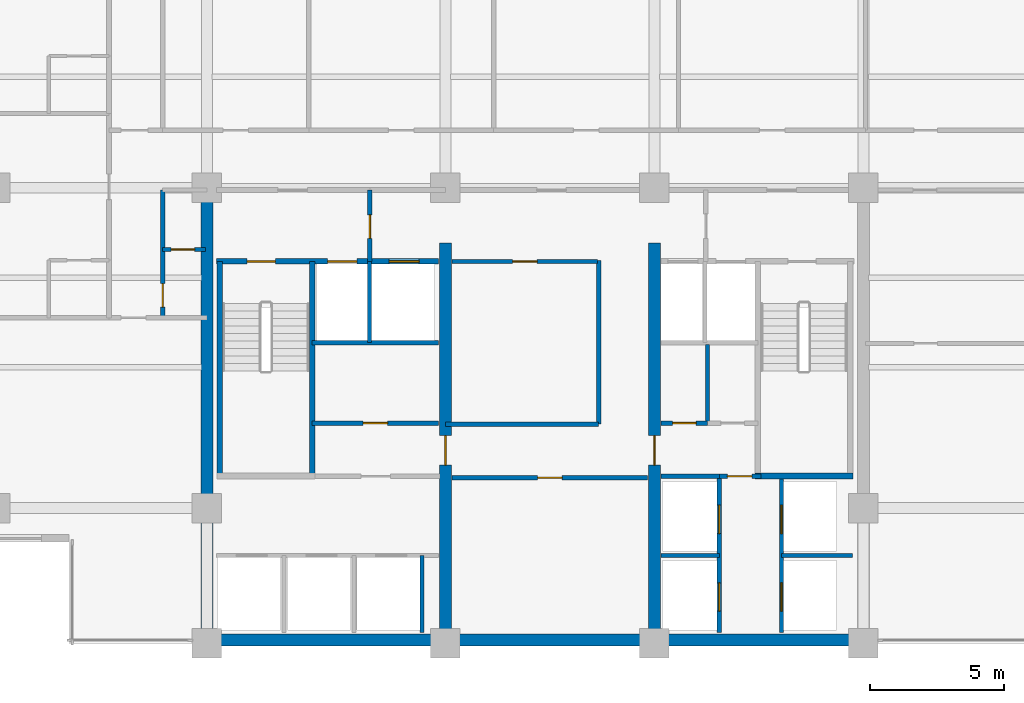
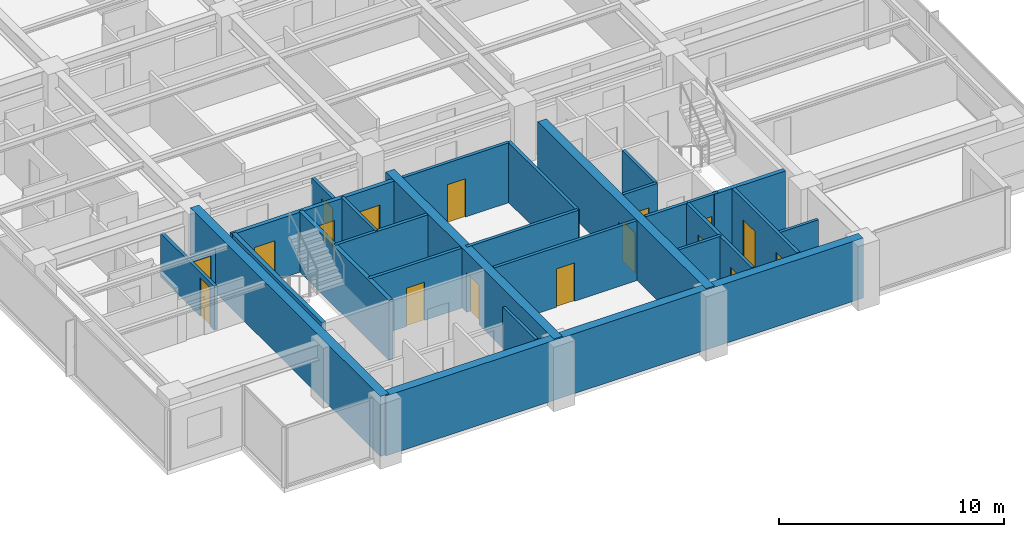
# One storey, part 7 of 14: 27 walls, 17 doors, 17 openings.
"""IFC4 building model written with IfcOpenShell, lengths in metres."""

from ifc_helpers import new_model, si_unit, direction, frame, frame_2d, origin, place, context, subcontext, project, spatial, rectangle, extrude, material, layer, layer_set, type_object, element, fill, save


model = new_model("IFC4")

# Units and contexts
model_context = context("Model", 3, precision=1e-05, world=origin(), true_north=direction((0.0, 1.0)))
body_context = subcontext(model_context, "Body", "Model", "MODEL_VIEW")
ifc_project = project(units=[si_unit("LENGTHUNIT", "METRE"), si_unit("AREAUNIT", "SQUARE_METRE"), si_unit("VOLUMEUNIT", "CUBIC_METRE"), si_unit("PLANEANGLEUNIT", "RADIAN"), si_unit("MASSUNIT", "GRAM", prefix="KILO")], contexts=[model_context])

# Site, building, storey
site_placement = place(None, origin())
site = spatial("IfcSite", under=ifc_project, at=site_placement, CompositionType="ELEMENT")
building_placement = place(site_placement, origin())
building = spatial("IfcBuilding", under=site, at=building_placement, Name="Qalmaran Belvedere Hotel", CompositionType="ELEMENT")
storey_placement = place(building_placement, frame((0.0, 0.0, 166.60009765625)))
storey = spatial("IfcBuildingStorey", under=building, at=storey_placement, Name="L42", CompositionType="ELEMENT", Elevation=166.60009765625)

# Wall
ifc_material_1 = material(Name="Concrete C50/60", Category="concrete")
ifc_layer_1 = layer(ifc_material_1, 0.449951171875, Name="Concrete C50/60")
ifc_layer_set_1 = layer_set([ifc_layer_1], Name="Concrete C50/60")
wall_type_1 = type_object("IfcWallType", Name="WL-CORE-450-C50", PredefinedType="SHEAR", material=ifc_layer_set_1)
wall_1_placement = place(storey_placement, frame((20.300048828125, 3.5, 0.0), z_axis=(0.0, 0.0, 1.0), x_axis=(0.0, 1.0, 0.0)))
element("IfcWall", 1, at=wall_1_placement, inside=storey, type_object=wall_type_1, Name="L42 West Core Shear Wall", PredefinedType="SHEAR", context=body_context, shape_type="SweptSolid", body=[
    extrude(rectangle(XDim=16.89990234375, YDim=0.449951171875, at=frame_2d((8.449951171875, 0.0))), origin(), (0.0, 0.0, 1.0), 3.25),
])

# Wall, opening, door
wall_2_placement = place(storey_placement, frame((29.199951171875, 3.5, 0.0), z_axis=(0.0, 0.0, 1.0), x_axis=(0.0, 1.0, 0.0)))
wall_2 = element("IfcWall", 2, at=wall_2_placement, inside=storey, type_object=wall_type_1, Name="L42 Core West Spine Shear Wall", PredefinedType="SHEAR", context=body_context, shape_type="SweptSolid", body=[
    extrude(rectangle(XDim=14.949951171875, YDim=0.449951171875, at=frame_2d((7.47509765625, 0.0))), origin(), (0.0, 0.0, 1.0), 3.25),
])
opening_1_placement = place(wall_2_placement, frame((7.75, 0.0, 0.0), z_axis=(0.0, 0.0, 1.0), x_axis=(-1.0, 0.0, 0.0)))
opening_1 = element("IfcOpeningElement", 3, at=opening_1_placement, cuts=wall_2, Name="Opening FD90", PredefinedType="OPENING", context=body_context, shape_type="SweptSolid", body=[
    extrude(rectangle(XDim=1.10009765625, YDim=2.14990234375, at=frame_2d((0.550048828125, 1.074951171875))), frame((0.0, 0.23486328125, 0.0), z_axis=(0.0, -1.0, 0.0), x_axis=(1.0, 0.0, 0.0)), (0.0, 0.0, 1.0), 0.469970703125),
])
ifc_material_2 = material(Name="Steel S355JR", Category="steel")
door_type_1 = type_object("IfcDoorType", Name="DR-FD90-1100X2150", OperationType="NOTDEFINED", PredefinedType="DOOR", material=ifc_material_2)
door_1_placement = place(opening_1_placement, origin())
door_1 = element("IfcDoor", 4, at=door_1_placement, inside=storey, type_object=door_type_1, Name="L42 Core West Cross-Lobby Door", OperationType="SINGLE_SWING_LEFT", OverallHeight=2.14990234375, OverallWidth=1.10009765625, PredefinedType="DOOR", context=body_context, shape_type="SweptSolid", body=[
    extrude(rectangle(XDim=1.10009765625, YDim=2.14990234375, at=frame_2d((0.550048828125, 1.074951171875))), frame((0.0, 0.02490234375, 0.0), z_axis=(0.0, -1.0, 0.0), x_axis=(1.0, 0.0, 0.0)), (0.0, 0.0, 1.0), 0.050048828125),
])
fill(opening_1, door_1)

wall_3_placement = place(storey_placement, frame((37.0, 3.5, 0.0), z_axis=(0.0, 0.0, 1.0), x_axis=(0.0, 1.0, 0.0)))
wall_3 = element("IfcWall", 5, at=wall_3_placement, inside=storey, type_object=wall_type_1, Name="L42 Core East Spine Shear Wall", PredefinedType="SHEAR", context=body_context, shape_type="SweptSolid", body=[
    extrude(rectangle(XDim=14.949951171875, YDim=0.449951171875, at=frame_2d((7.47509765625, 0.0))), origin(), (0.0, 0.0, 1.0), 3.25),
])
opening_2_placement = place(wall_3_placement, frame((6.64990234375, 0.0, 0.0)))
opening_2 = element("IfcOpeningElement", 6, at=opening_2_placement, cuts=wall_3, Name="Opening FD90", PredefinedType="OPENING", context=body_context, shape_type="SweptSolid", body=[
    extrude(rectangle(XDim=1.10009765625, YDim=2.14990234375, at=frame_2d((0.550048828125, 1.074951171875))), frame((0.0, 0.23486328125, 0.0), z_axis=(0.0, -1.0, 0.0), x_axis=(1.0, 0.0, 0.0)), (0.0, 0.0, 1.0), 0.469970703125),
])
door_2_placement = place(opening_2_placement, origin())
door_2 = element("IfcDoor", 7, at=door_2_placement, inside=storey, type_object=door_type_1, Name="L42 Core East Cross-Lobby Door", OperationType="SINGLE_SWING_RIGHT", OverallHeight=2.14990234375, OverallWidth=1.10009765625, PredefinedType="DOOR", context=body_context, shape_type="SweptSolid", body=[
    extrude(rectangle(XDim=1.10009765625, YDim=2.14990234375, at=frame_2d((0.550048828125, 1.074951171875))), frame((0.0, 0.02490234375, 0.0), z_axis=(0.0, -1.0, 0.0), x_axis=(1.0, 0.0, 0.0)), (0.0, 0.0, 1.0), 0.050048828125),
])
fill(opening_2, door_2)

# Wall
ifc_layer_2 = layer(ifc_material_1, 0.43994140625, Name="Concrete C50/60")
ifc_layer_set_2 = layer_set([ifc_layer_2], Name="Concrete C50/60")
wall_type_2 = type_object("IfcWallType", Name="WL-CORES-440-EXT", PredefinedType="SHEAR", material=ifc_layer_set_2)
wall_4_placement = place(storey_placement, frame((20.300048828125, 3.6298828125, 0.0), z_axis=(0.0, 0.0, 1.0), x_axis=(1.0, 0.0, 0.0)))
element("IfcWall", 8, at=wall_4_placement, inside=storey, type_object=wall_type_2, Name="L42 South Core Shear Wall", PredefinedType="SHEAR", context=body_context, shape_type="SweptSolid", body=[
    extrude(rectangle(XDim=24.5, YDim=0.43994140625, at=frame_2d((12.25, 0.0))), origin(), (0.0, 0.0, 1.0), 3.25),
])

# Wall, opening, door
ifc_material_3 = material(Name="Gypsum Stud Partition")
ifc_layer_3 = layer(ifc_material_3, 0.139892578125, Name="Gypsum Stud Partition")
ifc_layer_set_3 = layer_set([ifc_layer_3], Name="Gypsum Stud Partition")
wall_type_3 = type_object("IfcWallType", Name="WL-INT-140-NR", PredefinedType="PARTITIONING", material=ifc_layer_set_3)
wall_5_placement = place(storey_placement, frame((18.64990234375, 18.199951171875, 0.0), z_axis=(0.0, 0.0, 1.0), x_axis=(1.0, 0.0, 0.0)))
wall_5 = element("IfcWall", 9, at=wall_5_placement, inside=storey, type_object=wall_type_3, Name="L42 Partition WL-L42-WCLSUB", PredefinedType="PARTITIONING", context=body_context, shape_type="SweptSolid", body=[
    extrude(rectangle(XDim=1.60009765625, YDim=0.139892578125, at=frame_2d((0.800048828125, 0.0))), origin(), (0.0, 0.0, 1.0), 2.3798828125),
])
opening_3_placement = place(wall_5_placement, frame((1.193115234375, 0.0, 0.0), z_axis=(0.0, 0.0, 1.0), x_axis=(-1.0, 0.0, 0.0)))
opening_3 = element("IfcOpeningElement", 10, at=opening_3_placement, cuts=wall_5, Name="Opening D-BATH", PredefinedType="OPENING", context=body_context, shape_type="SweptSolid", body=[
    extrude(rectangle(XDim=0.8798828125, YDim=2.080078125, at=frame_2d((0.43994140625, 1.0400390625))), frame((0.0, 0.080078125, 0.0), z_axis=(0.0, -1.0, 0.0), x_axis=(1.0, 0.0, 0.0)), (0.0, 0.0, 1.0), 0.159912109375),
])
ifc_material_4 = material(Name="Engineered Oak Veneer")
door_type_2 = type_object("IfcDoorType", Name="DR-INT-BATH-880X2080", OperationType="NOTDEFINED", PredefinedType="DOOR", material=ifc_material_4)
door_3_placement = place(opening_3_placement, origin())
door_3 = element("IfcDoor", 11, at=door_3_placement, inside=storey, type_object=door_type_2, Name="L42 Closet Alcove Door", OperationType="SINGLE_SWING_LEFT", OverallHeight=2.080078125, OverallWidth=0.8798828125, PredefinedType="DOOR", context=body_context, shape_type="SweptSolid", body=[
    extrude(rectangle(XDim=0.8798828125, YDim=2.080078125, at=frame_2d((0.43994140625, 1.0400390625))), frame((0.0, 0.02490234375, 0.0), z_axis=(0.0, -1.0, 0.0), x_axis=(1.0, 0.0, 0.0)), (0.0, 0.0, 1.0), 0.050048828125),
])
fill(opening_3, door_3)

# Walls
ifc_layer_4 = layer(ifc_material_3, 0.14990234375, Name="Gypsum Stud Partition")
ifc_layer_set_4 = layer_set([ifc_layer_4], Name="Gypsum Stud Partition")
wall_type_4 = type_object("IfcWallType", Name="WL-INT-150-EI120", PredefinedType="PARTITIONING", material=ifc_layer_set_4)
wall_6_placement = place(storey_placement, frame((26.360107421875, 14.719970703125, 0.0), z_axis=(0.0, 0.0, 1.0), x_axis=(0.0, 1.0, 0.0)))
element("IfcWall", 12, at=wall_6_placement, inside=storey, type_object=wall_type_4, Name="L42 Partition WL-FF1M-L42", PredefinedType="PARTITIONING", context=body_context, shape_type="SweptSolid", body=[
    extrude(rectangle(XDim=3.0400390625, YDim=0.14990234375, at=frame_2d((1.52001953125, 0.0))), origin(), (0.0, 0.0, 1.0), 3.25),
])
wall_7_placement = place(storey_placement, frame((28.320068359375, 3.89990234375, 0.0), z_axis=(0.0, 0.0, 1.0), x_axis=(0.0, 1.0, 0.0)))
element("IfcWall", 13, at=wall_7_placement, inside=storey, type_object=wall_type_4, Name="L42 Partition WL-POM3-L42", PredefinedType="PARTITIONING", context=body_context, shape_type="SweptSolid", body=[
    extrude(rectangle(XDim=2.880126953125, YDim=0.14990234375, at=frame_2d((1.43994140625, 0.0))), origin(), (0.0, 0.0, 1.0), 3.25),
])
wall_8_placement = place(storey_placement, frame((37.25, 6.780029296875, 0.0), z_axis=(0.0, 0.0, 1.0), x_axis=(1.0, 0.0, 0.0)))
element("IfcWall", 14, at=wall_8_placement, inside=storey, type_object=wall_type_4, Name="L42 Partition WL-PHMW-L42", PredefinedType="PARTITIONING", context=body_context, shape_type="SweptSolid", body=[
    extrude(rectangle(XDim=2.169921875, YDim=0.14990234375, at=frame_2d((1.0849609375, 0.0))), origin(), (0.0, 0.0, 1.0), 3.25),
])
wall_9_placement = place(storey_placement, frame((41.739990234375, 6.780029296875, 0.0), z_axis=(0.0, 0.0, 1.0), x_axis=(1.0, 0.0, 0.0)))
element("IfcWall", 15, at=wall_9_placement, inside=storey, type_object=wall_type_4, Name="L42 Partition WL-PHME-L42", PredefinedType="PARTITIONING", context=body_context, shape_type="SweptSolid", body=[
    extrude(rectangle(XDim=2.659912109375, YDim=0.14990234375, at=frame_2d((1.330078125, 0.0))), origin(), (0.0, 0.0, 1.0), 2.3798828125),
])
ifc_layer_5 = layer(ifc_material_3, 0.14990234375, Name="Gypsum Stud Partition")
ifc_layer_set_5 = layer_set([ifc_layer_5], Name="Gypsum Stud Partition")
wall_type_5 = type_object("IfcWallType", Name="WL-INT-150-EI60", PredefinedType="PARTITIONING", material=ifc_layer_set_5)
wall_10_placement = place(storey_placement, frame((38.98291015625, 11.719970703125, 0.0), z_axis=(0.0, 0.0, 1.0), x_axis=(0.0, 1.0, 0.0)))
element("IfcWall", 16, at=wall_10_placement, inside=storey, type_object=wall_type_5, Name="L42 Partition WL-L42-KEV1", PredefinedType="PARTITIONING", context=body_context, shape_type="SweptSolid", body=[
    extrude(rectangle(XDim=2.929931640625, YDim=0.14990234375, at=frame_2d((1.46484375, 0.0))), origin(), (0.0, 0.0, 1.0), 3.25),
])

# Wall, opening, door
ifc_layer_6 = layer(ifc_material_3, 0.159912109375, Name="Gypsum Stud Partition")
ifc_layer_set_6 = layer_set([ifc_layer_6], Name="Gypsum Stud Partition")
wall_type_6 = type_object("IfcWallType", Name="WL-INT-160-EI120", PredefinedType="PARTITIONING", material=ifc_layer_set_6)
wall_11_placement = place(storey_placement, frame((26.3798828125, 17.760009765625, 0.0), z_axis=(0.0, 0.0, 1.0), x_axis=(0.0, 1.0, 0.0)))
wall_11 = element("IfcWall", 17, at=wall_11_placement, inside=storey, type_object=wall_type_6, Name="L42 Partition WL-FFSV1-L42", PredefinedType="PARTITIONING", context=body_context, shape_type="SweptSolid", body=[
    extrude(rectangle(XDim=2.659912109375, YDim=0.159912109375, at=frame_2d((1.330078125, 0.0))), origin(), (0.0, 0.0, 1.0), 2.69189453125),
])
opening_4_placement = place(wall_11_placement, frame((0.85009765625, 0.0, 0.0)))
opening_4 = element("IfcOpeningElement", 18, at=opening_4_placement, cuts=wall_11, Name="Opening FD60B", PredefinedType="OPENING", context=body_context, shape_type="SweptSolid", body=[
    extrude(rectangle(XDim=0.8798828125, YDim=2.080078125, at=frame_2d((0.43994140625, 1.0400390625))), frame((0.0, 0.08984375, 0.0), z_axis=(0.0, -1.0, 0.0), x_axis=(1.0, 0.0, 0.0)), (0.0, 0.0, 1.0), 0.179931640625),
])
door_type_3 = type_object("IfcDoorType", Name="DR-FD60B-880X2080", OperationType="NOTDEFINED", PredefinedType="DOOR", material=ifc_material_2)
door_4_placement = place(opening_4_placement, origin())
door_4 = element("IfcDoor", 19, at=door_4_placement, inside=storey, type_object=door_type_3, Name="L42 Service Lobby West Door", OperationType="SINGLE_SWING_LEFT", OverallHeight=2.080078125, OverallWidth=0.8798828125, PredefinedType="DOOR", context=body_context, shape_type="SweptSolid", body=[
    extrude(rectangle(XDim=0.8798828125, YDim=2.080078125, at=frame_2d((0.43994140625, 1.0400390625))), frame((0.0, 0.02490234375, 0.0), z_axis=(0.0, -1.0, 0.0), x_axis=(1.0, 0.0, 0.0)), (0.0, 0.0, 1.0), 0.050048828125),
])
fill(opening_4, door_4)

# Wall
wall_12_placement = place(storey_placement, frame((24.219970703125, 14.719970703125, 0.0), z_axis=(0.0, 0.0, 1.0), x_axis=(1.0, 0.0, 0.0)))
element("IfcWall", 20, at=wall_12_placement, inside=storey, type_object=wall_type_6, Name="L42 Partition WL-FF1S-L42", PredefinedType="PARTITIONING", context=body_context, shape_type="SweptSolid", body=[
    extrude(rectangle(XDim=4.72998046875, YDim=0.159912109375, at=frame_2d((2.364990234375, 0.0))), origin(), (0.0, 0.0, 1.0), 3.25),
])

# Wall, openings, doors
wall_13_placement = place(storey_placement, frame((39.419921875, 3.89990234375, 0.0), z_axis=(0.0, 0.0, 1.0), x_axis=(0.0, 1.0, 0.0)))
wall_13 = element("IfcWall", 21, at=wall_13_placement, inside=storey, type_object=wall_type_6, Name="L42 Partition WL-PHW-L42", PredefinedType="PARTITIONING", context=body_context, shape_type="SweptSolid", body=[
    extrude(rectangle(XDim=5.840087890625, YDim=0.159912109375, at=frame_2d((2.919921875, 0.0))), origin(), (0.0, 0.0, 1.0), 3.25),
])
opening_5_placement = place(wall_13_placement, frame((1.860107421875, 0.0, 0.0), z_axis=(0.0, 0.0, 1.0), x_axis=(-1.0, 0.0, 0.0)))
opening_5 = element("IfcOpeningElement", 22, at=opening_5_placement, cuts=wall_13, Name="Opening LD-P2", PredefinedType="OPENING", context=body_context, shape_type="SweptSolid", body=[
    extrude(rectangle(XDim=1.06005859375, YDim=2.159912109375, at=frame_2d((0.530029296875, 1.080078125))), frame((0.0, 0.08984375, 0.0), z_axis=(0.0, -1.0, 0.0), x_axis=(1.0, 0.0, 0.0)), (0.0, 0.0, 1.0), 0.179931640625),
])
opening_6_placement = place(wall_13_placement, frame((4.760009765625, 0.0, 0.0), z_axis=(0.0, 0.0, 1.0), x_axis=(-1.0, 0.0, 0.0)))
opening_6 = element("IfcOpeningElement", 23, at=opening_6_placement, cuts=wall_13, Name="Opening LD-P2", PredefinedType="OPENING", context=body_context, shape_type="SweptSolid", body=[
    extrude(rectangle(XDim=1.06005859375, YDim=2.159912109375, at=frame_2d((0.530029296875, 1.080078125))), frame((0.0, 0.08984375, 0.0), z_axis=(0.0, -1.0, 0.0), x_axis=(1.0, 0.0, 0.0)), (0.0, 0.0, 1.0), 0.179931640625),
])
ifc_material_5 = material(Name="Stainless Steel 1.4401", Category="steel")
door_type_4 = type_object("IfcDoorType", Name="DR-LIFT-P2-1060X2160", OperationType="DOUBLE_DOOR_SLIDING", PredefinedType="DOOR", material=ifc_material_5)
door_5_placement = place(opening_5_placement, origin())
door_5 = element("IfcDoor", 24, at=door_5_placement, inside=storey, type_object=door_type_4, Name="L42 PH1 Lift Landing Door", OperationType="DOUBLE_DOOR_SLIDING", OverallHeight=2.159912109375, OverallWidth=1.06005859375, PredefinedType="DOOR", context=body_context, shape_type="SweptSolid", body=[
    extrude(rectangle(XDim=1.06005859375, YDim=2.159912109375, at=frame_2d((0.530029296875, 1.080078125))), frame((0.0, 0.02490234375, 0.0), z_axis=(0.0, -1.0, 0.0), x_axis=(1.0, 0.0, 0.0)), (0.0, 0.0, 1.0), 0.050048828125),
])
fill(opening_5, door_5)
door_6_placement = place(opening_6_placement, origin())
door_6 = element("IfcDoor", 25, at=door_6_placement, inside=storey, type_object=door_type_4, Name="L42 PH2 Lift Landing Door", OperationType="DOUBLE_DOOR_SLIDING", OverallHeight=2.159912109375, OverallWidth=1.06005859375, PredefinedType="DOOR", context=body_context, shape_type="SweptSolid", body=[
    extrude(rectangle(XDim=1.06005859375, YDim=2.159912109375, at=frame_2d((0.530029296875, 1.080078125))), frame((0.0, 0.02490234375, 0.0), z_axis=(0.0, -1.0, 0.0), x_axis=(1.0, 0.0, 0.0)), (0.0, 0.0, 1.0), 0.050048828125),
])
fill(opening_6, door_6)

wall_14_placement = place(storey_placement, frame((41.739990234375, 3.89990234375, 0.0), z_axis=(0.0, 0.0, 1.0), x_axis=(0.0, 1.0, 0.0)))
wall_14 = element("IfcWall", 26, at=wall_14_placement, inside=storey, type_object=wall_type_6, Name="L42 Partition WL-PHE-L42", PredefinedType="PARTITIONING", context=body_context, shape_type="SweptSolid", body=[
    extrude(rectangle(XDim=5.840087890625, YDim=0.159912109375, at=frame_2d((2.919921875, 0.0))), origin(), (0.0, 0.0, 1.0), 3.25),
])
opening_7_placement = place(wall_14_placement, frame((0.800048828125, 0.0, 0.0)))
opening_7 = element("IfcOpeningElement", 27, at=opening_7_placement, cuts=wall_14, Name="Opening LD-P2", PredefinedType="OPENING", context=body_context, shape_type="SweptSolid", body=[
    extrude(rectangle(XDim=1.06005859375, YDim=2.159912109375, at=frame_2d((0.530029296875, 1.080078125))), frame((0.0, 0.08984375, 0.0), z_axis=(0.0, -1.0, 0.0), x_axis=(1.0, 0.0, 0.0)), (0.0, 0.0, 1.0), 0.179931640625),
])
opening_8_placement = place(wall_14_placement, frame((3.699951171875, 0.0, 0.0)))
opening_8 = element("IfcOpeningElement", 28, at=opening_8_placement, cuts=wall_14, Name="Opening LD-P2", PredefinedType="OPENING", context=body_context, shape_type="SweptSolid", body=[
    extrude(rectangle(XDim=1.06005859375, YDim=2.159912109375, at=frame_2d((0.530029296875, 1.080078125))), frame((0.0, 0.08984375, 0.0), z_axis=(0.0, -1.0, 0.0), x_axis=(1.0, 0.0, 0.0)), (0.0, 0.0, 1.0), 0.179931640625),
])
door_7_placement = place(opening_7_placement, origin())
door_7 = element("IfcDoor", 29, at=door_7_placement, inside=storey, type_object=door_type_4, Name="L42 PH3 Lift Landing Door", OperationType="DOUBLE_DOOR_SLIDING", OverallHeight=2.159912109375, OverallWidth=1.06005859375, PredefinedType="DOOR", context=body_context, shape_type="SweptSolid", body=[
    extrude(rectangle(XDim=1.06005859375, YDim=2.159912109375, at=frame_2d((0.530029296875, 1.080078125))), frame((0.0, 0.02490234375, 0.0), z_axis=(0.0, -1.0, 0.0), x_axis=(1.0, 0.0, 0.0)), (0.0, 0.0, 1.0), 0.050048828125),
])
fill(opening_7, door_7)
door_8_placement = place(opening_8_placement, origin())
door_8 = element("IfcDoor", 30, at=door_8_placement, inside=storey, type_object=door_type_4, Name="L42 PH4 Lift Landing Door", OperationType="DOUBLE_DOOR_SLIDING", OverallHeight=2.159912109375, OverallWidth=1.06005859375, PredefinedType="DOOR", context=body_context, shape_type="SweptSolid", body=[
    extrude(rectangle(XDim=1.06005859375, YDim=2.159912109375, at=frame_2d((0.530029296875, 1.080078125))), frame((0.0, 0.02490234375, 0.0), z_axis=(0.0, -1.0, 0.0), x_axis=(1.0, 0.0, 0.0)), (0.0, 0.0, 1.0), 0.050048828125),
])
fill(opening_8, door_8)

# Wall
wall_15_placement = place(storey_placement, frame((37.25, 9.739990234375, 0.0), z_axis=(0.0, 0.0, 1.0), x_axis=(1.0, 0.0, 0.0)))
element("IfcWall", 31, at=wall_15_placement, inside=storey, type_object=wall_type_6, Name="L42 Partition WL-PHNW-L42", PredefinedType="PARTITIONING", context=body_context, shape_type="SweptSolid", body=[
    extrude(rectangle(XDim=2.169921875, YDim=0.159912109375, at=frame_2d((1.0849609375, 0.0))), origin(), (0.0, 0.0, 1.0), 3.25),
])

# Wall, opening, door
wall_16_placement = place(storey_placement, frame((39.419921875, 9.739990234375, 0.0), z_axis=(0.0, 0.0, 1.0), x_axis=(1.0, 0.0, 0.0)))
wall_16 = element("IfcWall", 32, at=wall_16_placement, inside=storey, type_object=wall_type_6, Name="L42 Partition WL-PHNL-L42", PredefinedType="PARTITIONING", context=body_context, shape_type="SweptSolid", body=[
    extrude(rectangle(XDim=1.56005859375, YDim=0.159912109375, at=frame_2d((0.780029296875, 0.0))), origin(), (0.0, 0.0, 1.0), 3.25),
])
opening_9_placement = place(wall_16_placement, frame((0.300048828125, 0.0, 0.0)))
opening_9 = element("IfcOpeningElement", 33, at=opening_9_placement, cuts=wall_16, Name="Opening FD60S1", PredefinedType="OPENING", context=body_context, shape_type="SweptSolid", body=[
    extrude(rectangle(XDim=0.919921875, YDim=2.080078125, at=frame_2d((0.4599609375, 1.0400390625))), frame((0.0, 0.08984375, 0.0), z_axis=(0.0, -1.0, 0.0), x_axis=(1.0, 0.0, 0.0)), (0.0, 0.0, 1.0), 0.179931640625),
])
door_type_5 = type_object("IfcDoorType", Name="DR-FD60S-920X2080", OperationType="NOTDEFINED", PredefinedType="DOOR", material=ifc_material_4)
door_9_placement = place(opening_9_placement, origin())
door_9 = element("IfcDoor", 34, at=door_9_placement, inside=storey, type_object=door_type_5, Name="L42 High-Rise Lift Lobby Passage Door", OperationType="SINGLE_SWING_RIGHT", OverallHeight=2.080078125, OverallWidth=0.919921875, PredefinedType="DOOR", context=body_context, shape_type="SweptSolid", body=[
    extrude(rectangle(XDim=0.919921875, YDim=2.080078125, at=frame_2d((0.4599609375, 1.0400390625))), frame((0.0, 0.02490234375, 0.0), z_axis=(0.0, -1.0, 0.0), x_axis=(1.0, 0.0, 0.0)), (0.0, 0.0, 1.0), 0.050048828125),
])
fill(opening_9, door_9)

ifc_layer_7 = layer(ifc_material_3, 0.159912109375, Name="Gypsum Stud Partition")
ifc_layer_set_7 = layer_set([ifc_layer_7], Name="Gypsum Stud Partition")
wall_type_7 = type_object("IfcWallType", Name="WL-INT-160-EI60", PredefinedType="PARTITIONING", material=ifc_layer_set_7)
wall_17_placement = place(storey_placement, frame((24.219970703125, 11.719970703125, 0.0), z_axis=(0.0, 0.0, 1.0), x_axis=(1.0, 0.0, 0.0)))
wall_17 = element("IfcWall", 35, at=wall_17_placement, inside=storey, type_object=wall_type_7, Name="L42 Partition WL-L42-KWE1", PredefinedType="PARTITIONING", context=body_context, shape_type="SweptSolid", body=[
    extrude(rectangle(XDim=4.72998046875, YDim=0.159912109375, at=frame_2d((2.364990234375, 0.0))), origin(), (0.0, 0.0, 1.0), 3.25),
])
opening_10_placement = place(wall_17_placement, frame((1.905029296875, 0.0, 0.0)))
opening_10 = element("IfcOpeningElement", 36, at=opening_10_placement, cuts=wall_17, Name="Opening FD60S1", PredefinedType="OPENING", context=body_context, shape_type="SweptSolid", body=[
    extrude(rectangle(XDim=0.919921875, YDim=2.080078125, at=frame_2d((0.4599609375, 1.0400390625))), frame((0.0, 0.08984375, 0.0), z_axis=(0.0, -1.0, 0.0), x_axis=(1.0, 0.0, 0.0)), (0.0, 0.0, 1.0), 0.179931640625),
])
door_10_placement = place(opening_10_placement, origin())
door_10 = element("IfcDoor", 37, at=door_10_placement, inside=storey, type_object=door_type_5, Name="L42 Electrical Distribution Room Door", OperationType="SINGLE_SWING_RIGHT", OverallHeight=2.080078125, OverallWidth=0.919921875, PredefinedType="DOOR", context=body_context, shape_type="SweptSolid", body=[
    extrude(rectangle(XDim=0.919921875, YDim=2.080078125, at=frame_2d((0.4599609375, 1.0400390625))), frame((0.0, 0.02490234375, 0.0), z_axis=(0.0, -1.0, 0.0), x_axis=(1.0, 0.0, 0.0)), (0.0, 0.0, 1.0), 0.050048828125),
])
fill(opening_10, door_10)

wall_18_placement = place(storey_placement, frame((37.25, 11.719970703125, 0.0), z_axis=(0.0, 0.0, 1.0), x_axis=(1.0, 0.0, 0.0)))
wall_18 = element("IfcWall", 38, at=wall_18_placement, inside=storey, type_object=wall_type_7, Name="L42 Partition WL-L42-KEE1", PredefinedType="PARTITIONING", context=body_context, shape_type="SweptSolid", body=[
    extrude(rectangle(XDim=1.73291015625, YDim=0.159912109375, at=frame_2d((0.866455078125, 0.0))), origin(), (0.0, 0.0, 1.0), 3.25),
])
opening_11_placement = place(wall_18_placement, frame((0.426513671875, 0.0, 0.0)))
opening_11 = element("IfcOpeningElement", 39, at=opening_11_placement, cuts=wall_18, Name="Opening FD60B", PredefinedType="OPENING", context=body_context, shape_type="SweptSolid", body=[
    extrude(rectangle(XDim=0.8798828125, YDim=2.080078125, at=frame_2d((0.43994140625, 1.0400390625))), frame((0.0, 0.08984375, 0.0), z_axis=(0.0, -1.0, 0.0), x_axis=(1.0, 0.0, 0.0)), (0.0, 0.0, 1.0), 0.179931640625),
])
door_11_placement = place(opening_11_placement, origin())
door_11 = element("IfcDoor", 40, at=door_11_placement, inside=storey, type_object=door_type_3, Name="L42 Cleaner Equipment Store Door", OperationType="SINGLE_SWING_LEFT", OverallHeight=2.080078125, OverallWidth=0.8798828125, PredefinedType="DOOR", context=body_context, shape_type="SweptSolid", body=[
    extrude(rectangle(XDim=0.8798828125, YDim=2.080078125, at=frame_2d((0.43994140625, 1.0400390625))), frame((0.0, 0.02490234375, 0.0), z_axis=(0.0, -1.0, 0.0), x_axis=(1.0, 0.0, 0.0)), (0.0, 0.0, 1.0), 0.050048828125),
])
fill(opening_11, door_11)

# Wall
wall_19_placement = place(storey_placement, frame((34.919921875, 11.679931640625, 0.0), z_axis=(0.0, 0.0, 1.0), x_axis=(0.0, 1.0, 0.0)))
element("IfcWall", 41, at=wall_19_placement, inside=storey, type_object=wall_type_7, Name="L42 Partition WL-CLLV-L42", PredefinedType="PARTITIONING", context=body_context, shape_type="SweptSolid", body=[
    extrude(rectangle(XDim=6.10009765625, YDim=0.159912109375, at=frame_2d((3.050048828125, 0.0))), origin(), (0.0, 0.0, 1.0), 3.25),
])

# Wall, opening, door
wall_20_placement = place(storey_placement, frame((29.449951171875, 9.679931640625, 0.0), z_axis=(0.0, 0.0, 1.0), x_axis=(1.0, 0.0, 0.0)))
wall_20 = element("IfcWall", 42, at=wall_20_placement, inside=storey, type_object=wall_type_7, Name="L42 Partition WL-L42-KPLE1", PredefinedType="PARTITIONING", context=body_context, shape_type="SweptSolid", body=[
    extrude(rectangle(XDim=7.300048828125, YDim=0.159912109375, at=frame_2d((3.64990234375, 0.0))), origin(), (0.0, 0.0, 1.0), 3.25),
])
opening_12_placement = place(wall_20_placement, frame((4.10986328125, 0.0, 0.0), z_axis=(0.0, 0.0, 1.0), x_axis=(-1.0, 0.0, 0.0)))
opening_12 = element("IfcOpeningElement", 43, at=opening_12_placement, cuts=wall_20, Name="Opening FD60S1", PredefinedType="OPENING", context=body_context, shape_type="SweptSolid", body=[
    extrude(rectangle(XDim=0.919921875, YDim=2.080078125, at=frame_2d((0.4599609375, 1.0400390625))), frame((0.0, 0.08984375, 0.0), z_axis=(0.0, -1.0, 0.0), x_axis=(1.0, 0.0, 0.0)), (0.0, 0.0, 1.0), 0.179931640625),
])
door_12_placement = place(opening_12_placement, origin())
door_12 = element("IfcDoor", 44, at=door_12_placement, inside=storey, type_object=door_type_5, Name="L42 Housekeeping and Linen Room Door", OperationType="SINGLE_SWING_LEFT", OverallHeight=2.080078125, OverallWidth=0.919921875, PredefinedType="DOOR", context=body_context, shape_type="SweptSolid", body=[
    extrude(rectangle(XDim=0.919921875, YDim=2.080078125, at=frame_2d((0.4599609375, 1.0400390625))), frame((0.0, 0.02490234375, 0.0), z_axis=(0.0, -1.0, 0.0), x_axis=(1.0, 0.0, 0.0)), (0.0, 0.0, 1.0), 0.050048828125),
])
fill(opening_12, door_12)

# Wall
wall_21_placement = place(storey_placement, frame((29.199951171875, 11.679931640625, 0.0), z_axis=(0.0, 0.0, 1.0), x_axis=(1.0, 0.0, 0.0)))
element("IfcWall", 45, at=wall_21_placement, inside=storey, type_object=wall_type_7, Name="L42 Partition WL-PMFS-L42", PredefinedType="PARTITIONING", context=body_context, shape_type="SweptSolid", body=[
    extrude(rectangle(XDim=5.719970703125, YDim=0.159912109375, at=frame_2d((2.85986328125, 0.0))), origin(), (0.0, 0.0, 1.0), 3.25),
])

# Wall, opening, door
wall_22_placement = place(storey_placement, frame((29.449951171875, 17.75, 0.0), z_axis=(0.0, 0.0, 1.0), x_axis=(1.0, 0.0, 0.0)))
wall_22 = element("IfcWall", 46, at=wall_22_placement, inside=storey, type_object=wall_type_7, Name="L42 Partition WL-L42-KPME1", PredefinedType="PARTITIONING", context=body_context, shape_type="SweptSolid", body=[
    extrude(rectangle(XDim=5.429931640625, YDim=0.159912109375, at=frame_2d((2.71484375, 0.0))), origin(), (0.0, 0.0, 1.0), 3.25),
])
opening_13_placement = place(wall_22_placement, frame((3.1748046875, 0.0, 0.0), z_axis=(0.0, 0.0, 1.0), x_axis=(-1.0, 0.0, 0.0)))
opening_13 = element("IfcOpeningElement", 47, at=opening_13_placement, cuts=wall_22, Name="Opening FD60S1", PredefinedType="OPENING", context=body_context, shape_type="SweptSolid", body=[
    extrude(rectangle(XDim=0.919921875, YDim=2.080078125, at=frame_2d((0.4599609375, 1.0400390625))), frame((0.0, 0.08984375, 0.0), z_axis=(0.0, -1.0, 0.0), x_axis=(1.0, 0.0, 0.0)), (0.0, 0.0, 1.0), 0.179931640625),
])
door_13_placement = place(opening_13_placement, origin())
door_13 = element("IfcDoor", 48, at=door_13_placement, inside=storey, type_object=door_type_5, Name="L42 Executive Butler Pantry Door", OperationType="SINGLE_SWING_RIGHT", OverallHeight=2.080078125, OverallWidth=0.919921875, PredefinedType="DOOR", context=body_context, shape_type="SweptSolid", body=[
    extrude(rectangle(XDim=0.919921875, YDim=2.080078125, at=frame_2d((0.4599609375, 1.0400390625))), frame((0.0, 0.02490234375, 0.0), z_axis=(0.0, -1.0, 0.0), x_axis=(1.0, 0.0, 0.0)), (0.0, 0.0, 1.0), 0.050048828125),
])
fill(opening_13, door_13)

wall_23_placement = place(storey_placement, frame((18.64990234375, 15.64990234375, 0.0), z_axis=(0.0, 0.0, 1.0), x_axis=(0.0, 1.0, 0.0)))
wall_23 = element("IfcWall", 49, at=wall_23_placement, inside=storey, type_object=wall_type_7, Name="L42 Partition WL-L42-WCL", PredefinedType="PARTITIONING", context=body_context, shape_type="SweptSolid", body=[
    extrude(rectangle(XDim=4.77001953125, YDim=0.159912109375, at=frame_2d((2.385009765625, 0.0))), origin(), (0.0, 0.0, 1.0), 2.3798828125),
])
opening_14_placement = place(wall_23_placement, frame((1.27978515625, 0.0, 0.0), z_axis=(0.0, 0.0, 1.0), x_axis=(-1.0, 0.0, 0.0)))
opening_14 = element("IfcOpeningElement", 50, at=opening_14_placement, cuts=wall_23, Name="Opening FD60B", PredefinedType="OPENING", context=body_context, shape_type="SweptSolid", body=[
    extrude(rectangle(XDim=0.8798828125, YDim=2.080078125, at=frame_2d((0.43994140625, 1.0400390625))), frame((0.0, 0.08984375, 0.0), z_axis=(0.0, -1.0, 0.0), x_axis=(1.0, 0.0, 0.0)), (0.0, 0.0, 1.0), 0.179931640625),
])
door_14_placement = place(opening_14_placement, origin())
door_14 = element("IfcDoor", 51, at=door_14_placement, inside=storey, type_object=door_type_3, Name="L42 West Closet Door", OperationType="SINGLE_SWING_LEFT", OverallHeight=2.080078125, OverallWidth=0.8798828125, PredefinedType="DOOR", context=body_context, shape_type="SweptSolid", body=[
    extrude(rectangle(XDim=0.8798828125, YDim=2.080078125, at=frame_2d((0.43994140625, 1.0400390625))), frame((0.0, 0.02490234375, 0.0), z_axis=(0.0, -1.0, 0.0), x_axis=(1.0, 0.0, 0.0)), (0.0, 0.0, 1.0), 0.050048828125),
])
fill(opening_14, door_14)

# Walls
ifc_layer_8 = layer(ifc_material_1, 0.2099609375, Name="Concrete C50/60")
ifc_layer_set_8 = layer_set([ifc_layer_8], Name="Concrete C50/60")
wall_type_8 = type_object("IfcWallType", Name="WL-STAIR-210-C50", PredefinedType="SHEAR", material=ifc_layer_set_8)
for number, where, z_axis, x_axis, name in (
    (52, (20.77490234375, 9.7451171875, 0.0), (0.0, 0.0, 1.0), (0.0, 1.0, 0.0), "L42 Stair ST-1 West Bearing Wall"),
    (53, (24.22509765625, 9.7451171875, 0.0), (0.0, 0.0, 1.0), (0.0, 1.0, 0.0), "L42 Stair ST-1 East Bearing Wall"),
):
    element("IfcWall", number, at=place(storey_placement, frame(where, z_axis=z_axis, x_axis=x_axis)), inside=storey, type_object=wall_type_8, Name=name, PredefinedType="SHEAR", context=body_context, shape_type="SweptSolid", body=[
        extrude(rectangle(XDim=8.009765625, YDim=0.2099609375, at=frame_2d((4.0048828125, 0.0))), origin(), (0.0, 0.0, 1.0), 3.25),
    ])

# Wall, openings, doors
wall_24_placement = place(storey_placement, frame((20.64990234375, 17.7548828125, 0.0), z_axis=(0.0, 0.0, 1.0), x_axis=(1.0, 0.0, 0.0)))
wall_24 = element("IfcWall", 54, at=wall_24_placement, inside=storey, type_object=wall_type_8, Name="L42 West Lobby and Stair ST-1 North Bearing Wall", PredefinedType="SHEAR", context=body_context, shape_type="SweptSolid", body=[
    extrude(rectangle(XDim=8.300048828125, YDim=0.2099609375, at=frame_2d((4.14990234375, 0.0))), origin(), (0.0, 0.0, 1.0), 3.25),
])
opening_15_placement = place(wall_24_placement, frame((2.199951171875, 0.0, 0.0), z_axis=(0.0, 0.0, 1.0), x_axis=(-1.0, 0.0, 0.0)))
opening_15 = element("IfcOpeningElement", 55, at=opening_15_placement, cuts=wall_24, Name="Opening FD90S2", PredefinedType="OPENING", context=body_context, shape_type="SweptSolid", body=[
    extrude(rectangle(XDim=1.050048828125, YDim=2.14990234375, at=frame_2d((0.52490234375, 1.074951171875))), frame((0.0, 0.114990234375, 0.0), z_axis=(0.0, -1.0, 0.0), x_axis=(1.0, 0.0, 0.0)), (0.0, 0.0, 1.0), 0.22998046875),
])
opening_16_placement = place(wall_24_placement, frame((4.14990234375, 0.0, 0.0)))
opening_16 = element("IfcOpeningElement", 56, at=opening_16_placement, cuts=wall_24, Name="Opening LD-FF", PredefinedType="OPENING", context=body_context, shape_type="SweptSolid", body=[
    extrude(rectangle(XDim=1.10009765625, YDim=2.179931640625, at=frame_2d((0.550048828125, 1.08984375))), frame((0.0, 0.114990234375, 0.0), z_axis=(0.0, -1.0, 0.0), x_axis=(1.0, 0.0, 0.0)), (0.0, 0.0, 1.0), 0.22998046875),
])
opening_17_placement = place(wall_24_placement, frame((6.449951171875, 0.0, 0.0)))
opening_17 = element("IfcOpeningElement", 57, at=opening_17_placement, cuts=wall_24, Name="Opening LD-SV", PredefinedType="OPENING", context=body_context, shape_type="SweptSolid", body=[
    extrude(rectangle(XDim=1.1201171875, YDim=2.199951171875, at=frame_2d((0.56005859375, 1.10009765625))), frame((0.0, 0.114990234375, 0.0), z_axis=(0.0, -1.0, 0.0), x_axis=(1.0, 0.0, 0.0)), (0.0, 0.0, 1.0), 0.22998046875),
])
door_type_6 = type_object("IfcDoorType", Name="DR-FD90S-1050X2150", OperationType="NOTDEFINED", PredefinedType="DOOR", material=ifc_material_2)
door_15_placement = place(opening_15_placement, origin())
door_15 = element("IfcDoor", 58, at=door_15_placement, inside=storey, type_object=door_type_6, Name="L42 Stair ST-1 Door", OperationType="SINGLE_SWING_LEFT", OverallHeight=2.14990234375, OverallWidth=1.050048828125, PredefinedType="DOOR", context=body_context, shape_type="SweptSolid", body=[
    extrude(rectangle(XDim=1.050048828125, YDim=2.14990234375, at=frame_2d((0.52490234375, 1.074951171875))), frame((0.0, 0.02490234375, 0.0), z_axis=(0.0, -1.0, 0.0), x_axis=(1.0, 0.0, 0.0)), (0.0, 0.0, 1.0), 0.050048828125),
])
fill(opening_15, door_15)
door_type_7 = type_object("IfcDoorType", Name="DR-LIFT-FF-1100X2180", OperationType="DOUBLE_DOOR_SLIDING", PredefinedType="DOOR", material=ifc_material_5)
door_16_placement = place(opening_16_placement, origin())
door_16 = element("IfcDoor", 59, at=door_16_placement, inside=storey, type_object=door_type_7, Name="L42 FF1 Lift Landing Door", OperationType="DOUBLE_DOOR_SLIDING", OverallHeight=2.179931640625, OverallWidth=1.10009765625, PredefinedType="DOOR", context=body_context, shape_type="SweptSolid", body=[
    extrude(rectangle(XDim=1.10009765625, YDim=2.179931640625, at=frame_2d((0.550048828125, 1.08984375))), frame((0.0, 0.02490234375, 0.0), z_axis=(0.0, -1.0, 0.0), x_axis=(1.0, 0.0, 0.0)), (0.0, 0.0, 1.0), 0.050048828125),
])
fill(opening_16, door_16)
door_type_8 = type_object("IfcDoorType", Name="DR-LIFT-SV-1120X2200", OperationType="DOUBLE_DOOR_SLIDING", PredefinedType="DOOR", material=ifc_material_5)
door_17_placement = place(opening_17_placement, origin())
door_17 = element("IfcDoor", 60, at=door_17_placement, inside=storey, type_object=door_type_8, Name="L42 SV1 Lift Landing Door", OperationType="DOUBLE_DOOR_SLIDING", OverallHeight=2.199951171875, OverallWidth=1.1201171875, PredefinedType="DOOR", context=body_context, shape_type="SweptSolid", body=[
    extrude(rectangle(XDim=1.1201171875, YDim=2.199951171875, at=frame_2d((0.56005859375, 1.10009765625))), frame((0.0, 0.02490234375, 0.0), z_axis=(0.0, -1.0, 0.0), x_axis=(1.0, 0.0, 0.0)), (0.0, 0.0, 1.0), 0.050048828125),
])
fill(opening_17, door_17)

# Wall
wall_25_placement = place(storey_placement, frame((40.75, 9.7451171875, 0.0), z_axis=(0.0, 0.0, 1.0), x_axis=(1.0, 0.0, 0.0)))
element("IfcWall", 61, at=wall_25_placement, inside=storey, type_object=wall_type_8, Name="L42 Stair ST-2 South Bearing Wall", PredefinedType="SHEAR", context=body_context, shape_type="SweptSolid", body=[
    extrude(rectangle(XDim=3.659912109375, YDim=0.2099609375, at=frame_2d((1.830078125, 0.0))), origin(), (0.0, 0.0, 1.0), 3.25),
])

save(model, "model.ifc")
